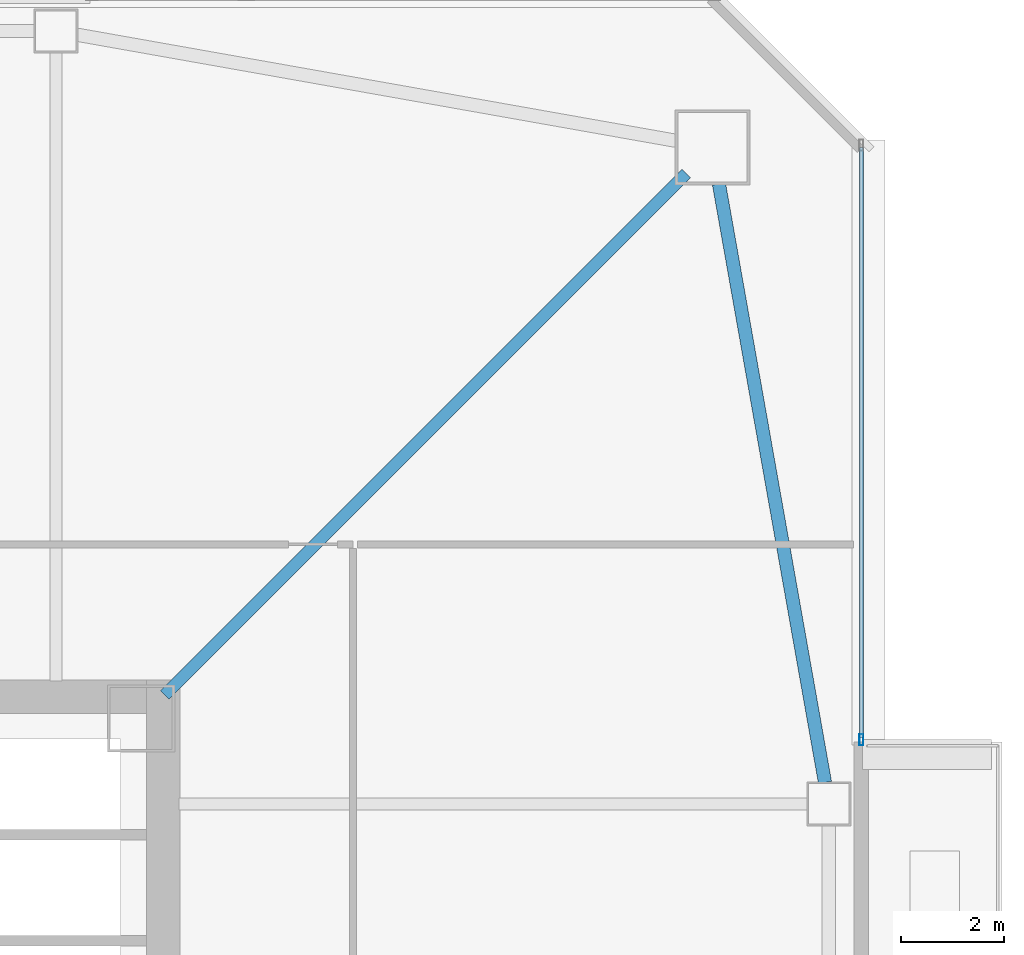
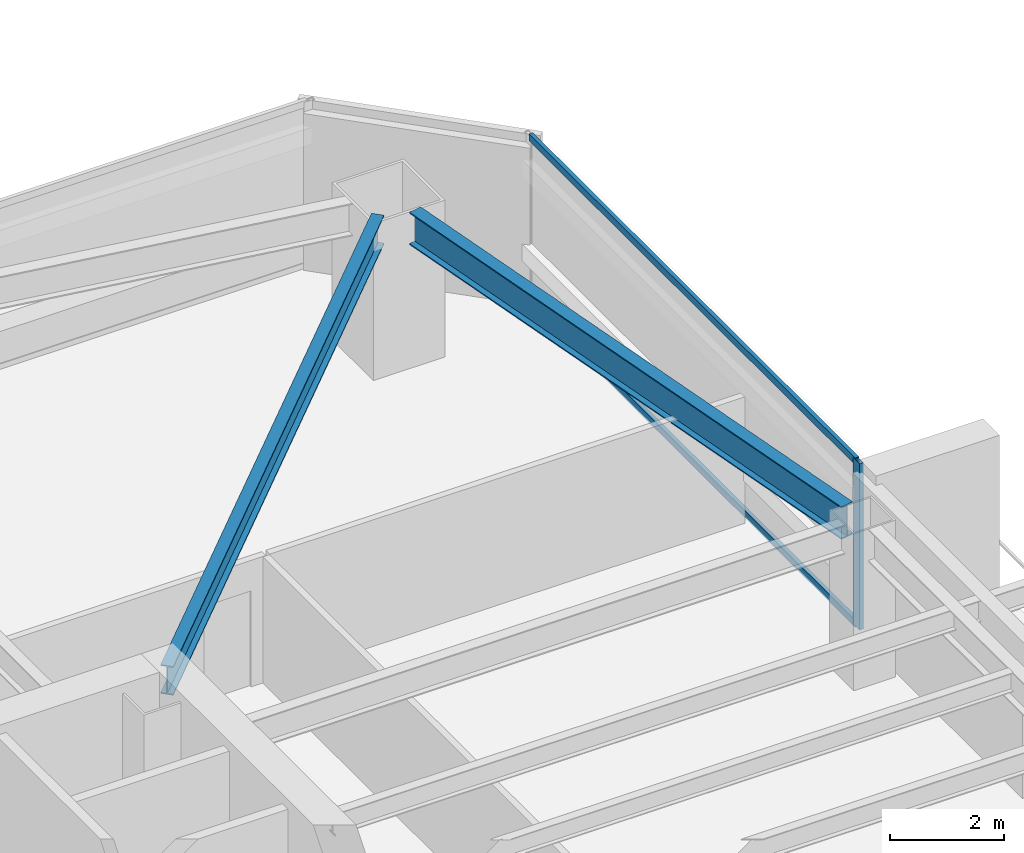
# One storey, part 14 of 46: 3 members, 2 beams, 1 element without a shape of its own.
"""IFC4 building model written with IfcOpenShell, lengths in metres."""

from ifc_helpers import new_model, si_unit, direction, frame, origin, origin_2d, place, context, subcontext, project, spatial, hollow_rectangle, i_section, extrude, material, material_profile, profile_set, type_object, element, aggregate, save


model = new_model("IFC4")

# Units and contexts
model_context = context("Model", 3, precision=1e-05, world=origin(), true_north=direction((0.0, 1.0)))
body_context = subcontext(model_context, "Body", "Model", "MODEL_VIEW")
ifc_project = project(units=[si_unit("LENGTHUNIT", "METRE"), si_unit("AREAUNIT", "SQUARE_METRE"), si_unit("VOLUMEUNIT", "CUBIC_METRE"), si_unit("PLANEANGLEUNIT", "RADIAN"), si_unit("MASSUNIT", "GRAM", prefix="KILO")], contexts=[model_context])

# Site, building, storey
site_placement = place(None, origin())
site = spatial("IfcSite", under=ifc_project, at=site_placement, CompositionType="ELEMENT")
building_placement = place(site_placement, origin())
building = spatial("IfcBuilding", under=site, at=building_placement, Name="Tashvorn Skyway Center", CompositionType="ELEMENT")
storey_placement = place(building_placement, frame((0.0, 0.0, 99.14990234375)))
storey = spatial("IfcBuildingStorey", under=building, at=storey_placement, Name="L26", CompositionType="ELEMENT", Elevation=99.14990234375)

# Beams
ifc_material_1 = material(Name="Steel ASTM A992 Grade 50", Category="steel")
ifc_material_profile_1 = material_profile(ifc_material_1, i_section(OverallWidth=0.22998046875, OverallDepth=0.616943359375, WebThickness=0.01318359375, FlangeThickness=0.022216796875, at=origin_2d()), Name="W24X94")
ifc_profile_set_1 = profile_set([ifc_material_profile_1], Name="Steel ASTM A992 Grade 50")
beam_type_1 = type_object("IfcBeamType", Name="BM-BEAM-W24X94", PredefinedType="BEAM", material=ifc_profile_set_1)
beam_1_placement = place(storey_placement, frame((59.5908203125, 49.5908203125, 3.04150390625), z_axis=(-0.707106781187, -0.707106781187, 0.0), x_axis=(0.707106781187, -0.707106781187, 0.0)))
element("IfcBeam", 1, at=beam_1_placement, inside=storey, type_object=beam_type_1, Name="Tower 1 L26 Primary Floor Girder MC-NE", PredefinedType="BEAM", context=body_context, shape_type="SweptSolid", body=[
    extrude(i_section(OverallWidth=0.22998046875, OverallDepth=0.616943359375, WebThickness=0.01318359375, FlangeThickness=0.022216796875, at=origin_2d()), origin(), (0.0, 0.0, 1.0), 14.261962890625),
])
ifc_material_profile_2 = material_profile(ifc_material_1, i_section(OverallWidth=0.256103515625, OverallDepth=0.693115234375, WebThickness=0.014404296875, FlangeThickness=0.023681640625, at=origin_2d()), Name="W27X114")
ifc_profile_set_2 = profile_set([ifc_material_profile_2], Name="Steel ASTM A992 Grade 50")
beam_type_2 = type_object("IfcBeamType", Name="BM-SPANDREL-W27X114", PredefinedType="SPANDREL", material=ifc_profile_set_2)
beam_2_placement = place(storey_placement, frame((62.276611328125, 37.8134765625, 3.003662109375), z_axis=(-0.174437966698, 0.98466816531, 0.0), x_axis=(-0.98466816531, -0.174437966698, 0.0)))
element("IfcBeam", 2, at=beam_2_placement, inside=storey, type_object=beam_type_2, Name="Tower 1 L26 Spandrel Beam 06", PredefinedType="SPANDREL", context=body_context, shape_type="SweptSolid", body=[
    extrude(i_section(OverallWidth=0.256103515625, OverallDepth=0.693115234375, WebThickness=0.014404296875, FlangeThickness=0.023681640625, at=origin_2d()), origin(), (0.0, 0.0, 1.0), 11.7578125),
])

# Curtain wall, members
ifc_material_2 = material(Name="Thermally broken bronze-anodized aluminium 6063-T6", Category="aluminium")
curtain_wall_type = type_object("IfcCurtainWallType", Name="CW-CW-Z2", PredefinedType="NOTDEFINED", material=ifc_material_2)
curtain_wall_placement = place(storey_placement, origin())
curtain_wall = element("IfcCurtainWall", 3, at=curtain_wall_placement, inside=storey, type_object=curtain_wall_type, Name="Tower 1 L26 East Curtain Wall L", PredefinedType="NOTDEFINED")
ifc_material_profile_3 = material_profile(ifc_material_2, hollow_rectangle(XDim=0.080078125, YDim=0.219970703125, WallThickness=0.0048828125, at=origin_2d()), Name="ALU-MULL-80x220")
ifc_profile_set_3 = profile_set([ifc_material_profile_3], Name="Thermally broken bronze-anodized aluminium 6063-T6")
member_type_1 = type_object("IfcMemberType", Name="CWM-CW-Z2", PredefinedType="MULLION", material=ifc_profile_set_3)
member_1_placement = place(storey_placement, frame((62.97998046875, 38.639892578125, 0.0), z_axis=(0.0, 0.0, 1.0), x_axis=(1.0, 0.0, 0.0)))
member_1 = element("IfcMember", 4, at=member_1_placement, type_object=member_type_1, Name="CW-Z2 mullion 2", PredefinedType="MULLION", context=body_context, shape_type="SweptSolid", body=[
    extrude(hollow_rectangle(XDim=0.080078125, YDim=0.219970703125, WallThickness=0.0048828125, at=origin_2d()), origin(), (0.0, 0.0, 1.0), 3.550048828125),
])
ifc_material_profile_4 = material_profile(ifc_material_2, hollow_rectangle(XDim=0.080078125, YDim=0.14990234375, WallThickness=0.00439453125, at=origin_2d()), Name="ALU-TRAN-80x150")
ifc_profile_set_4 = profile_set([ifc_material_profile_4], Name="Thermally broken bronze-anodized aluminium 6063-T6")
member_type_2 = type_object("IfcMemberType", Name="CWT-CW-Z2", PredefinedType="USERDEFINED", material=ifc_profile_set_4)
member_2_placement = place(storey_placement, frame((62.97998046875, 50.10009765625, 0.0400390625), z_axis=(0.0, -1.0, 0.0), x_axis=(1.0, 0.0, 0.0)))
member_2 = element("IfcMember", 5, at=member_2_placement, type_object=member_type_2, Name="CW-Z2 transom 1.1", ObjectType="TRANSOM", PredefinedType="USERDEFINED", context=body_context, shape_type="SweptSolid", body=[
    extrude(hollow_rectangle(XDim=0.080078125, YDim=0.14990234375, WallThickness=0.00439453125, at=origin_2d()), origin(), (0.0, 0.0, 1.0), 11.420166015625),
])
member_3_placement = place(storey_placement, frame((62.97998046875, 50.10009765625, 3.510009765625), z_axis=(0.0, -1.0, 0.0), x_axis=(1.0, 0.0, 0.0)))
member_3 = element("IfcMember", 6, at=member_3_placement, type_object=member_type_2, Name="CW-Z2 transom 1.2", ObjectType="TRANSOM", PredefinedType="USERDEFINED", context=body_context, shape_type="SweptSolid", body=[
    extrude(hollow_rectangle(XDim=0.080078125, YDim=0.14990234375, WallThickness=0.00439453125, at=origin_2d()), origin(), (0.0, 0.0, 1.0), 11.420166015625),
])
aggregate(curtain_wall, [member_1, member_2, member_3])

save(model, "model.ifc")
